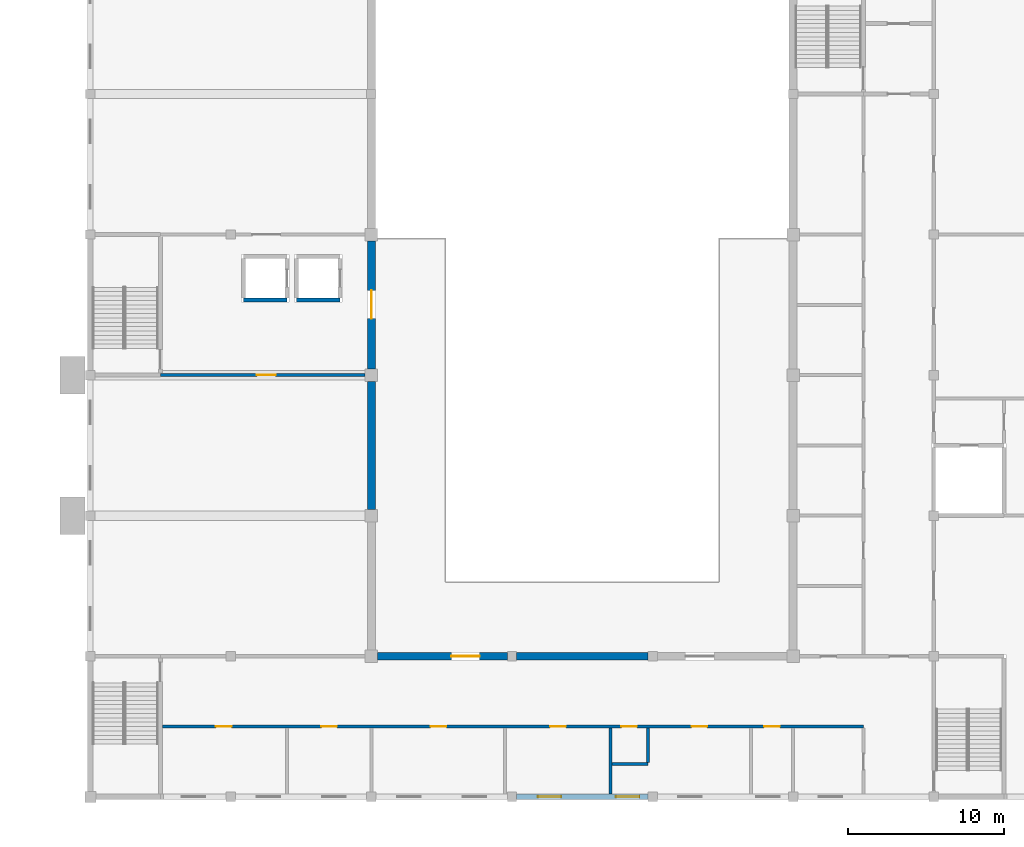
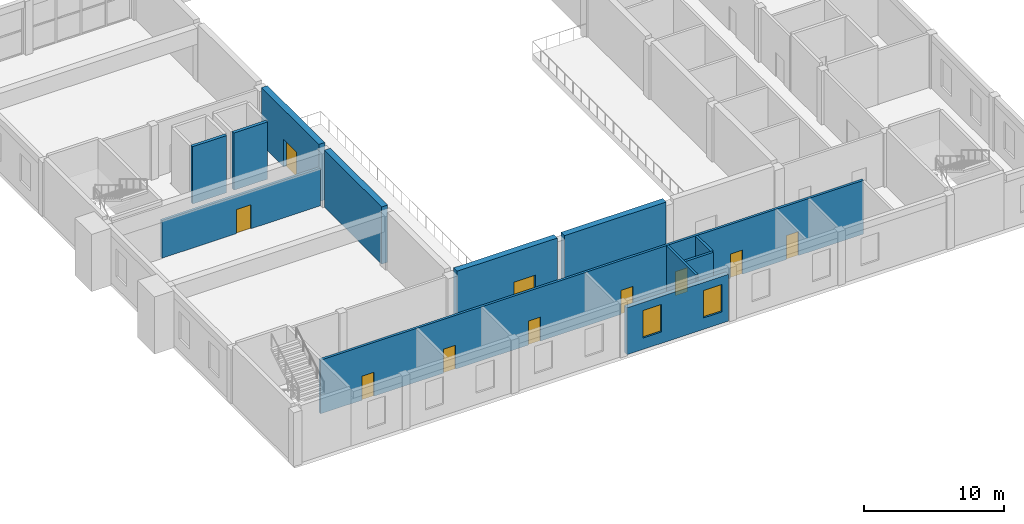
# One storey, part 22 of 34: 12 walls, 10 doors, 2 windows, 12 openings.
"""IFC4 building model written with IfcOpenShell, lengths in metres."""

from ifc_helpers import new_model, si_unit, direction, frame, frame_2d, origin, place, context, subcontext, project, spatial, rectangle, extrude, material, layer, layer_set, type_object, element, fill, save


model = new_model("IFC4")

# Units and contexts
model_context = context("Model", 3, precision=1e-05, world=origin(), true_north=direction((0.0, 1.0)))
body_context = subcontext(model_context, "Body", "Model", "MODEL_VIEW")
ifc_project = project(units=[si_unit("LENGTHUNIT", "METRE"), si_unit("AREAUNIT", "SQUARE_METRE"), si_unit("VOLUMEUNIT", "CUBIC_METRE"), si_unit("PLANEANGLEUNIT", "RADIAN"), si_unit("MASSUNIT", "GRAM", prefix="KILO")], contexts=[model_context])

# Site, building, storey
site_placement = place(None, origin())
site = spatial("IfcSite", under=ifc_project, at=site_placement, CompositionType="ELEMENT")
building_placement = place(site_placement, origin())
building = spatial("IfcBuilding", under=site, at=building_placement, Name="Firuza Court", CompositionType="ELEMENT")
storey_placement = place(building_placement, frame((0.0, 0.0, 14.0)))
storey = spatial("IfcBuildingStorey", under=building, at=storey_placement, Name="L02", CompositionType="ELEMENT", Elevation=14.0)

# Wall
ifc_material_1 = material(Name="Blockwork", Category="masonry")
ifc_layer_1 = layer(ifc_material_1, 0.199951171875)
ifc_layer_set_1 = layer_set([ifc_layer_1], Name="Blockwork")
wall_type_1 = type_object("IfcWallType", Name="HALL PARTITION 200", PredefinedType="STANDARD", material=ifc_layer_set_1)
wall_1_placement = place(storey_placement, frame((123.39990234375, -6.89990234375, 0.0), z_axis=(0.0, 0.0, 1.0), x_axis=(1.0, 0.0, 0.0)))
element("IfcWall", 1, at=wall_1_placement, inside=storey, type_object=wall_type_1, Name="Wall L02.10", PredefinedType="STANDARD", context=body_context, shape_type="SweptSolid", body=[
    extrude(rectangle(XDim=2.300048828125, YDim=0.199951171875, at=frame_2d((1.14990234375, 0.0))), origin(), (0.0, 0.0, 1.0), 4.699951171875),
])

# Wall, openings, doors
wall_2_placement = place(storey_placement, frame((94.625, -4.5, 0.0), z_axis=(0.0, 0.0, 1.0), x_axis=(1.0, 0.0, 0.0)))
wall_2 = element("IfcWall", 2, at=wall_2_placement, inside=storey, type_object=wall_type_1, Name="Wall L02.11", PredefinedType="STANDARD", context=body_context, shape_type="SweptSolid", body=[
    extrude(rectangle(XDim=44.875, YDim=0.199951171875, at=frame_2d((22.4375, 0.0))), origin(), (0.0, 0.0, 1.0), 4.699951171875),
])
opening_1_placement = place(wall_2_placement, frame((3.419921875, 0.0, 0.0)))
opening_1 = element("IfcOpeningElement", 3, at=opening_1_placement, cuts=wall_2, Name="Opening H098", PredefinedType="OPENING", context=body_context, shape_type="SweptSolid", body=[
    extrude(rectangle(XDim=1.0, YDim=2.10009765625, at=frame_2d((0.5, 1.050048828125))), frame((0.0, 0.11181640625, 0.0), z_axis=(0.0, -1.0, 0.0), x_axis=(1.0, 0.0, 0.0)), (0.0, 0.0, 1.0), 0.223876953125),
])
opening_2_placement = place(wall_2_placement, frame((10.169921875, 0.0, 0.0)))
opening_2 = element("IfcOpeningElement", 4, at=opening_2_placement, cuts=wall_2, Name="Opening H099", PredefinedType="OPENING", context=body_context, shape_type="SweptSolid", body=[
    extrude(rectangle(XDim=1.0, YDim=2.10009765625, at=frame_2d((0.5, 1.050048828125))), frame((0.0, 0.11181640625, 0.0), z_axis=(0.0, -1.0, 0.0), x_axis=(1.0, 0.0, 0.0)), (0.0, 0.0, 1.0), 0.223876953125),
])
opening_3_placement = place(wall_2_placement, frame((17.169921875, 0.0, 0.0)))
opening_3 = element("IfcOpeningElement", 5, at=opening_3_placement, cuts=wall_2, Name="Opening H102", PredefinedType="OPENING", context=body_context, shape_type="SweptSolid", body=[
    extrude(rectangle(XDim=1.0, YDim=2.10009765625, at=frame_2d((0.5, 1.050048828125))), frame((0.0, 0.11181640625, 0.0), z_axis=(0.0, -1.0, 0.0), x_axis=(1.0, 0.0, 0.0)), (0.0, 0.0, 1.0), 0.223876953125),
])
opening_4_placement = place(wall_2_placement, frame((24.820068359375, 0.0, 0.0)))
opening_4 = element("IfcOpeningElement", 6, at=opening_4_placement, cuts=wall_2, Name="Opening H103", PredefinedType="OPENING", context=body_context, shape_type="SweptSolid", body=[
    extrude(rectangle(XDim=1.0, YDim=2.10009765625, at=frame_2d((0.5, 1.050048828125))), frame((0.0, 0.11181640625, 0.0), z_axis=(0.0, -1.0, 0.0), x_axis=(1.0, 0.0, 0.0)), (0.0, 0.0, 1.0), 0.223876953125),
])
opening_5_placement = place(wall_2_placement, frame((29.3701171875, 0.0, 0.0)))
opening_5 = element("IfcOpeningElement", 7, at=opening_5_placement, cuts=wall_2, Name="Opening H104", PredefinedType="OPENING", context=body_context, shape_type="SweptSolid", body=[
    extrude(rectangle(XDim=1.0, YDim=2.10009765625, at=frame_2d((0.5, 1.050048828125))), frame((0.0, 0.11181640625, 0.0), z_axis=(0.0, -1.0, 0.0), x_axis=(1.0, 0.0, 0.0)), (0.0, 0.0, 1.0), 0.223876953125),
])
opening_6_placement = place(wall_2_placement, frame((33.8701171875, 0.0, 0.0)))
opening_6 = element("IfcOpeningElement", 8, at=opening_6_placement, cuts=wall_2, Name="Opening H105", PredefinedType="OPENING", context=body_context, shape_type="SweptSolid", body=[
    extrude(rectangle(XDim=1.0, YDim=2.10009765625, at=frame_2d((0.5, 1.050048828125))), frame((0.0, 0.11181640625, 0.0), z_axis=(0.0, -1.0, 0.0), x_axis=(1.0, 0.0, 0.0)), (0.0, 0.0, 1.0), 0.223876953125),
])
opening_7_placement = place(wall_2_placement, frame((38.52001953125, 0.0, 0.0)))
opening_7 = element("IfcOpeningElement", 9, at=opening_7_placement, cuts=wall_2, Name="Opening H106", PredefinedType="OPENING", context=body_context, shape_type="SweptSolid", body=[
    extrude(rectangle(XDim=1.0, YDim=2.10009765625, at=frame_2d((0.5, 1.050048828125))), frame((0.0, 0.11181640625, 0.0), z_axis=(0.0, -1.0, 0.0), x_axis=(1.0, 0.0, 0.0)), (0.0, 0.0, 1.0), 0.223876953125),
])
ifc_material_2 = material(Name="Timber", Category="wood")
door_type_1 = type_object("IfcDoorType", Name="HALL DOOR 1000X2100", OperationType="SINGLE_SWING_LEFT", PredefinedType="DOOR", material=ifc_material_2)
door_1_placement = place(opening_1_placement, origin())
door_1 = element("IfcDoor", 10, at=door_1_placement, inside=storey, type_object=door_type_1, Name="Door Artists' lounge", OperationType="SINGLE_SWING_LEFT", OverallHeight=2.10009765625, OverallWidth=1.0, PredefinedType="DOOR", context=body_context, shape_type="SweptSolid", body=[
    extrude(rectangle(XDim=1.0, YDim=2.10009765625, at=frame_2d((0.5, 1.050048828125))), frame((0.0, 0.02490234375, 0.0), z_axis=(0.0, -1.0, 0.0), x_axis=(1.0, 0.0, 0.0)), (0.0, 0.0, 1.0), 0.050048828125),
])
fill(opening_1, door_1)
door_2_placement = place(opening_2_placement, frame((1.0, 0.0, 0.0), z_axis=(0.0, 0.0, 1.0), x_axis=(-1.0, 0.0, 0.0)))
door_2 = element("IfcDoor", 11, at=door_2_placement, inside=storey, type_object=door_type_1, Name="Door Costume store", OperationType="SINGLE_SWING_RIGHT", OverallHeight=2.10009765625, OverallWidth=1.0, PredefinedType="DOOR", context=body_context, shape_type="SweptSolid", body=[
    extrude(rectangle(XDim=1.0, YDim=2.10009765625, at=frame_2d((0.5, 1.050048828125))), frame((0.0, 0.02490234375, 0.0), z_axis=(0.0, -1.0, 0.0), x_axis=(1.0, 0.0, 0.0)), (0.0, 0.0, 1.0), 0.050048828125),
])
fill(opening_2, door_2)
door_3_placement = place(opening_3_placement, frame((1.0, 0.0, 0.0), z_axis=(0.0, 0.0, 1.0), x_axis=(-1.0, 0.0, 0.0)))
door_3 = element("IfcDoor", 12, at=door_3_placement, inside=storey, type_object=door_type_1, Name="Door Women's WC", OperationType="SINGLE_SWING_RIGHT", OverallHeight=2.10009765625, OverallWidth=1.0, PredefinedType="DOOR", context=body_context, shape_type="SweptSolid", body=[
    extrude(rectangle(XDim=1.0, YDim=2.10009765625, at=frame_2d((0.5, 1.050048828125))), frame((0.0, 0.02490234375, 0.0), z_axis=(0.0, -1.0, 0.0), x_axis=(1.0, 0.0, 0.0)), (0.0, 0.0, 1.0), 0.050048828125),
])
fill(opening_3, door_3)
door_4_placement = place(opening_4_placement, frame((1.0, 0.0, 0.0), z_axis=(0.0, 0.0, 1.0), x_axis=(-1.0, 0.0, 0.0)))
door_4 = element("IfcDoor", 13, at=door_4_placement, inside=storey, type_object=door_type_1, Name="Door Men's WC", OperationType="SINGLE_SWING_RIGHT", OverallHeight=2.10009765625, OverallWidth=1.0, PredefinedType="DOOR", context=body_context, shape_type="SweptSolid", body=[
    extrude(rectangle(XDim=1.0, YDim=2.10009765625, at=frame_2d((0.5, 1.050048828125))), frame((0.0, 0.02490234375, 0.0), z_axis=(0.0, -1.0, 0.0), x_axis=(1.0, 0.0, 0.0)), (0.0, 0.0, 1.0), 0.050048828125),
])
fill(opening_4, door_4)
door_5_placement = place(opening_5_placement, frame((1.0, 0.0, 0.0), z_axis=(0.0, 0.0, 1.0), x_axis=(-1.0, 0.0, 0.0)))
door_5 = element("IfcDoor", 14, at=door_5_placement, inside=storey, type_object=door_type_1, Name="Door Accessible WC", OperationType="SINGLE_SWING_RIGHT", OverallHeight=2.10009765625, OverallWidth=1.0, PredefinedType="DOOR", context=body_context, shape_type="SweptSolid", body=[
    extrude(rectangle(XDim=1.0, YDim=2.10009765625, at=frame_2d((0.5, 1.050048828125))), frame((0.0, 0.02490234375, 0.0), z_axis=(0.0, -1.0, 0.0), x_axis=(1.0, 0.0, 0.0)), (0.0, 0.0, 1.0), 0.050048828125),
])
fill(opening_5, door_5)
door_6_placement = place(opening_6_placement, frame((1.0, 0.0, 0.0), z_axis=(0.0, 0.0, 1.0), x_axis=(-1.0, 0.0, 0.0)))
door_6 = element("IfcDoor", 15, at=door_6_placement, inside=storey, type_object=door_type_1, Name="Door Parents' room", OperationType="SINGLE_SWING_RIGHT", OverallHeight=2.10009765625, OverallWidth=1.0, PredefinedType="DOOR", context=body_context, shape_type="SweptSolid", body=[
    extrude(rectangle(XDim=1.0, YDim=2.10009765625, at=frame_2d((0.5, 1.050048828125))), frame((0.0, 0.02490234375, 0.0), z_axis=(0.0, -1.0, 0.0), x_axis=(1.0, 0.0, 0.0)), (0.0, 0.0, 1.0), 0.050048828125),
])
fill(opening_6, door_6)
door_7_placement = place(opening_7_placement, frame((1.0, 0.0, 0.0), z_axis=(0.0, 0.0, 1.0), x_axis=(-1.0, 0.0, 0.0)))
door_7 = element("IfcDoor", 16, at=door_7_placement, inside=storey, type_object=door_type_1, Name="Door Cleaner's store", OperationType="SINGLE_SWING_RIGHT", OverallHeight=2.10009765625, OverallWidth=1.0, PredefinedType="DOOR", context=body_context, shape_type="SweptSolid", body=[
    extrude(rectangle(XDim=1.0, YDim=2.10009765625, at=frame_2d((0.5, 1.050048828125))), frame((0.0, 0.02490234375, 0.0), z_axis=(0.0, -1.0, 0.0), x_axis=(1.0, 0.0, 0.0)), (0.0, 0.0, 1.0), 0.050048828125),
])
fill(opening_7, door_7)

# Wall, opening, door
wall_3_placement = place(storey_placement, frame((94.5, 18.0, 0.0), z_axis=(0.0, 0.0, 1.0), x_axis=(1.0, 0.0, 0.0)))
wall_3 = element("IfcWall", 17, at=wall_3_placement, inside=storey, type_object=wall_type_1, Name="Wall L02.28", PredefinedType="STANDARD", context=body_context, shape_type="SweptSolid", body=[
    extrude(rectangle(XDim=13.10009765625, YDim=0.199951171875, at=frame_2d((6.550048828125, 0.0))), origin(), (0.0, 0.0, 1.0), 3.300048828125),
])
opening_8_placement = place(wall_3_placement, frame((6.169921875, 0.0, 0.0)))
opening_8 = element("IfcOpeningElement", 18, at=opening_8_placement, cuts=wall_3, Name="Opening H090", PredefinedType="OPENING", context=body_context, shape_type="SweptSolid", body=[
    extrude(rectangle(XDim=1.199951171875, YDim=2.10009765625, at=frame_2d((0.60009765625, 1.050048828125))), frame((0.0, 0.11181640625, 0.0), z_axis=(0.0, -1.0, 0.0), x_axis=(1.0, 0.0, 0.0)), (0.0, 0.0, 1.0), 0.223876953125),
])
ifc_material_3 = material(Name="Timber", Category="wood")
door_type_2 = type_object("IfcDoorType", Name="HALL DOOR 1200X2100", OperationType="SINGLE_SWING_LEFT", PredefinedType="DOOR", material=ifc_material_3)
door_8_placement = place(opening_8_placement, origin())
door_8 = element("IfcDoor", 19, at=door_8_placement, inside=storey, type_object=door_type_2, Name="Door Hospitality lounge to Balcony foyer", OperationType="SINGLE_SWING_RIGHT", OverallHeight=2.10009765625, OverallWidth=1.199951171875, PredefinedType="DOOR", context=body_context, shape_type="SweptSolid", body=[
    extrude(rectangle(XDim=1.199951171875, YDim=2.10009765625, at=frame_2d((0.60009765625, 1.050048828125))), frame((0.0, 0.02490234375, 0.0), z_axis=(0.0, -1.0, 0.0), x_axis=(1.0, 0.0, 0.0)), (0.0, 0.0, 1.0), 0.050048828125),
])
fill(opening_8, door_8)

# Walls
wall_4_placement = place(storey_placement, frame((123.300048828125, -8.824951171875, 0.0), z_axis=(0.0, 0.0, 1.0), x_axis=(0.0, 1.0, 0.0)))
element("IfcWall", 20, at=wall_4_placement, inside=storey, type_object=wall_type_1, Name="Wall L02.69", PredefinedType="STANDARD", context=body_context, shape_type="SweptSolid", body=[
    extrude(rectangle(XDim=4.224853515625, YDim=0.199951171875, at=frame_2d((2.1123046875, 0.0))), origin(), (0.0, 0.0, 1.0), 4.699951171875),
])
wall_5_placement = place(storey_placement, frame((125.699951171875, -6.800048828125, 0.0), z_axis=(0.0, 0.0, 1.0), x_axis=(0.0, 1.0, 0.0)))
element("IfcWall", 21, at=wall_5_placement, inside=storey, type_object=wall_type_1, Name="Wall L02.70", PredefinedType="STANDARD", context=body_context, shape_type="SweptSolid", body=[
    extrude(rectangle(XDim=2.199951171875, YDim=0.199951171875, at=frame_2d((1.10009765625, 0.0))), origin(), (0.0, 0.0, 1.0), 4.699951171875),
])
ifc_material_4 = material(Name="Concrete C40/50", Category="concrete")
ifc_layer_2 = layer(ifc_material_4, 0.25)
ifc_layer_set_2 = layer_set([ifc_layer_2], Name="Concrete C40/50")
wall_type_2 = type_object("IfcWallType", Name="HALL RC WALL 250", PredefinedType="STANDARD", material=ifc_layer_set_2)
for number, where, z_axis, x_axis, name in (
    (22, (99.800048828125, 22.800048828125, 0.0), (0.0, 0.0, 1.0), (1.0, 0.0, 0.0), "Wall L02.31"),
    (23, (103.199951171875, 22.800048828125, 0.0), (0.0, 0.0, 1.0), (1.0, 0.0, 0.0), "Wall L02.32"),
):
    element("IfcWall", number, at=place(storey_placement, frame(where, z_axis=z_axis, x_axis=x_axis)), inside=storey, type_object=wall_type_2, Name=name, PredefinedType="STANDARD", context=body_context, shape_type="SweptSolid", body=[
        extrude(rectangle(XDim=2.800048828125, YDim=0.25, at=frame_2d((1.39990234375, 0.0))), origin(), (0.0, 0.0, 1.0), 5.0),
    ])

# Wall, opening, door
ifc_layer_3 = layer(ifc_material_4, 0.5)
ifc_layer_set_3 = layer_set([ifc_layer_3], Name="Concrete C40/50")
wall_type_3 = type_object("IfcWallType", Name="HALL RC WALL 500", PredefinedType="STANDARD", material=ifc_layer_set_3)
wall_6_placement = place(storey_placement, frame((108.39990234375, 0.0, 0.0), z_axis=(0.0, 0.0, 1.0), x_axis=(1.0, 0.0, 0.0)))
wall_6 = element("IfcWall", 24, at=wall_6_placement, inside=storey, type_object=wall_type_3, Name="Wall L02.15", PredefinedType="STANDARD", context=body_context, shape_type="SweptSolid", body=[
    extrude(rectangle(XDim=8.300048828125, YDim=0.5, at=frame_2d((4.14990234375, 0.0))), origin(), (0.0, 0.0, 1.0), 5.0),
])
opening_9_placement = place(wall_6_placement, frame((4.719970703125, 0.0, 0.0)))
opening_9 = element("IfcOpeningElement", 25, at=opening_9_placement, cuts=wall_6, Name="Opening H092", PredefinedType="OPENING", context=body_context, shape_type="SweptSolid", body=[
    extrude(rectangle(XDim=1.800048828125, YDim=2.39990234375, at=frame_2d((0.89990234375, 1.199951171875))), frame((0.0, 0.261962890625, 0.0), z_axis=(0.0, -1.0, 0.0), x_axis=(1.0, 0.0, 0.0)), (0.0, 0.0, 1.0), 0.52392578125),
])
ifc_material_5 = material(Name="Timber", Category="wood")
door_type_3 = type_object("IfcDoorType", Name="HALL DOOR 1800X2400", OperationType="DOUBLE_DOOR_SINGLE_SWING", PredefinedType="DOOR", material=ifc_material_5)
door_9_placement = place(opening_9_placement, origin())
door_9 = element("IfcDoor", 26, at=door_9_placement, inside=storey, type_object=door_type_3, Name="Exit door balcony south 1 L02", OperationType="DOUBLE_DOOR_SINGLE_SWING", OverallHeight=2.39990234375, OverallWidth=1.800048828125, PredefinedType="DOOR", context=body_context, shape_type="SweptSolid", body=[
    extrude(rectangle(XDim=1.800048828125, YDim=2.39990234375, at=frame_2d((0.89990234375, 1.199951171875))), frame((0.0, 0.02490234375, 0.0), z_axis=(0.0, -1.0, 0.0), x_axis=(1.0, 0.0, 0.0)), (0.0, 0.0, 1.0), 0.050048828125),
])
fill(opening_9, door_9)

# Walls
wall_7_placement = place(storey_placement, frame((117.300048828125, 0.0, 0.0), z_axis=(0.0, 0.0, 1.0), x_axis=(1.0, 0.0, 0.0)))
element("IfcWall", 27, at=wall_7_placement, inside=storey, type_object=wall_type_3, Name="Wall L02.16", PredefinedType="STANDARD", context=body_context, shape_type="SweptSolid", body=[
    extrude(rectangle(XDim=8.39990234375, YDim=0.5, at=frame_2d((4.199951171875, 0.0))), origin(), (0.0, 0.0, 1.0), 5.0),
])
wall_8_placement = place(storey_placement, frame((108.0, 9.39990234375, 0.0), z_axis=(0.0, 0.0, 1.0), x_axis=(0.0, 1.0, 0.0)))
element("IfcWall", 28, at=wall_8_placement, inside=storey, type_object=wall_type_3, Name="Wall L02.64", PredefinedType="STANDARD", context=body_context, shape_type="SweptSolid", body=[
    extrude(rectangle(XDim=8.2001953125, YDim=0.5, at=frame_2d((4.10009765625, 0.0))), origin(), (0.0, 0.0, 1.0), 5.0),
])

# Wall, opening, door
wall_9_placement = place(storey_placement, frame((108.0, 18.39990234375, 0.0), z_axis=(0.0, 0.0, 1.0), x_axis=(0.0, 1.0, 0.0)))
wall_9 = element("IfcWall", 29, at=wall_9_placement, inside=storey, type_object=wall_type_3, Name="Wall L02.65", PredefinedType="STANDARD", context=body_context, shape_type="SweptSolid", body=[
    extrude(rectangle(XDim=8.2001953125, YDim=0.5, at=frame_2d((4.10009765625, 0.0))), origin(), (0.0, 0.0, 1.0), 5.0),
])
opening_10_placement = place(wall_9_placement, frame((3.219970703125, 0.0, 0.0)))
opening_10 = element("IfcOpeningElement", 30, at=opening_10_placement, cuts=wall_9, Name="Opening H091", PredefinedType="OPENING", context=body_context, shape_type="SweptSolid", body=[
    extrude(rectangle(XDim=1.800048828125, YDim=2.39990234375, at=frame_2d((0.89990234375, 1.199951171875))), frame((0.0, 0.261962890625, 0.0), z_axis=(0.0, -1.0, 0.0), x_axis=(1.0, 0.0, 0.0)), (0.0, 0.0, 1.0), 0.52392578125),
])
door_10_placement = place(opening_10_placement, origin())
door_10 = element("IfcDoor", 31, at=door_10_placement, inside=storey, type_object=door_type_3, Name="Exit door balcony west L02", OperationType="DOUBLE_DOOR_SINGLE_SWING", OverallHeight=2.39990234375, OverallWidth=1.800048828125, PredefinedType="DOOR", context=body_context, shape_type="SweptSolid", body=[
    extrude(rectangle(XDim=1.800048828125, YDim=2.39990234375, at=frame_2d((0.89990234375, 1.199951171875))), frame((0.0, 0.02490234375, 0.0), z_axis=(0.0, -1.0, 0.0), x_axis=(1.0, 0.0, 0.0)), (0.0, 0.0, 1.0), 0.050048828125),
])
fill(opening_10, door_10)

# Wall, openings, windows
ifc_material_6 = material(Name="Concrete C30/37", Category="concrete")
ifc_layer_4 = layer(ifc_material_6, 0.300048828125)
ifc_material_7 = material(Name="Ceramic tile", Category="ceramic")
ifc_layer_5 = layer(ifc_material_7, 0.050048828125)
ifc_layer_set_4 = layer_set([ifc_layer_4, ifc_layer_5], Name="Concrete C30/37")
wall_type_4 = type_object("IfcWallType", Name="HALL TILE CLAD WALL 350", PredefinedType="STANDARD", material=ifc_layer_set_4)
wall_10_placement = place(storey_placement, frame((117.300048828125, -9.0, 0.0), z_axis=(0.0, 0.0, 1.0), x_axis=(1.0, 0.0, 0.0)))
wall_10 = element("IfcWall", 32, at=wall_10_placement, inside=storey, type_object=wall_type_4, Name="Wall L02.5", PredefinedType="STANDARD", context=body_context, shape_type="SweptSolid", body=[
    extrude(rectangle(XDim=8.39990234375, YDim=0.35009765625, at=frame_2d((4.199951171875, 0.0))), origin(), (0.0, 0.0, 1.0), 4.10009765625),
])
opening_11_placement = place(wall_10_placement, frame((1.35009765625, 0.0, 1.0)))
opening_11 = element("IfcOpeningElement", 33, at=opening_11_placement, cuts=wall_10, Name="Opening HW-1", PredefinedType="OPENING", context=body_context, shape_type="SweptSolid", body=[
    extrude(rectangle(XDim=1.5, YDim=2.39990234375, at=frame_2d((0.75, 1.199951171875))), frame((0.0, 0.18701171875, 0.0), z_axis=(0.0, -1.0, 0.0), x_axis=(1.0, 0.0, 0.0)), (0.0, 0.0, 1.0), 0.3740234375),
])
opening_12_placement = place(wall_10_placement, frame((6.35009765625, 0.0, 1.0)))
opening_12 = element("IfcOpeningElement", 34, at=opening_12_placement, cuts=wall_10, Name="Opening HW-1", PredefinedType="OPENING", context=body_context, shape_type="SweptSolid", body=[
    extrude(rectangle(XDim=1.5, YDim=2.39990234375, at=frame_2d((0.75, 1.199951171875))), frame((0.0, 0.18701171875, 0.0), z_axis=(0.0, -1.0, 0.0), x_axis=(1.0, 0.0, 0.0)), (0.0, 0.0, 1.0), 0.3740234375),
])
ifc_material_8 = material(Name="Aluminium", Category="aluminium")
window_type = type_object("IfcWindowType", Name="HALL WINDOW 1500X2400", PartitioningType="SINGLE_PANEL", PredefinedType="WINDOW", material=ifc_material_8)
window_1_placement = place(opening_11_placement, origin())
window_1 = element("IfcWindow", 35, at=window_1_placement, inside=storey, type_object=window_type, Name="Window L02.50", OverallHeight=2.39990234375, OverallWidth=1.5, PartitioningType="SINGLE_PANEL", PredefinedType="WINDOW", context=body_context, shape_type="SweptSolid", body=[
    extrude(rectangle(XDim=1.5, YDim=2.39990234375, at=frame_2d((0.75, 1.199951171875))), frame((0.0, 0.030029296875, 0.0), z_axis=(0.0, -1.0, 0.0), x_axis=(1.0, 0.0, 0.0)), (0.0, 0.0, 1.0), 0.06005859375),
])
fill(opening_11, window_1)
window_2_placement = place(opening_12_placement, origin())
window_2 = element("IfcWindow", 36, at=window_2_placement, inside=storey, type_object=window_type, Name="Window L02.51", OverallHeight=2.39990234375, OverallWidth=1.5, PartitioningType="SINGLE_PANEL", PredefinedType="WINDOW", context=body_context, shape_type="SweptSolid", body=[
    extrude(rectangle(XDim=1.5, YDim=2.39990234375, at=frame_2d((0.75, 1.199951171875))), frame((0.0, 0.030029296875, 0.0), z_axis=(0.0, -1.0, 0.0), x_axis=(1.0, 0.0, 0.0)), (0.0, 0.0, 1.0), 0.06005859375),
])
fill(opening_12, window_2)

save(model, "model.ifc")
